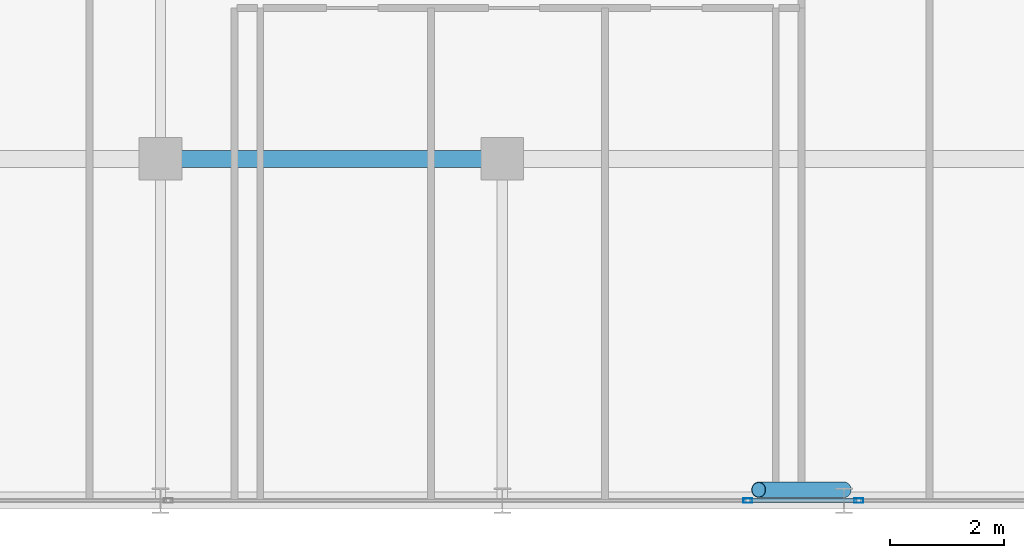
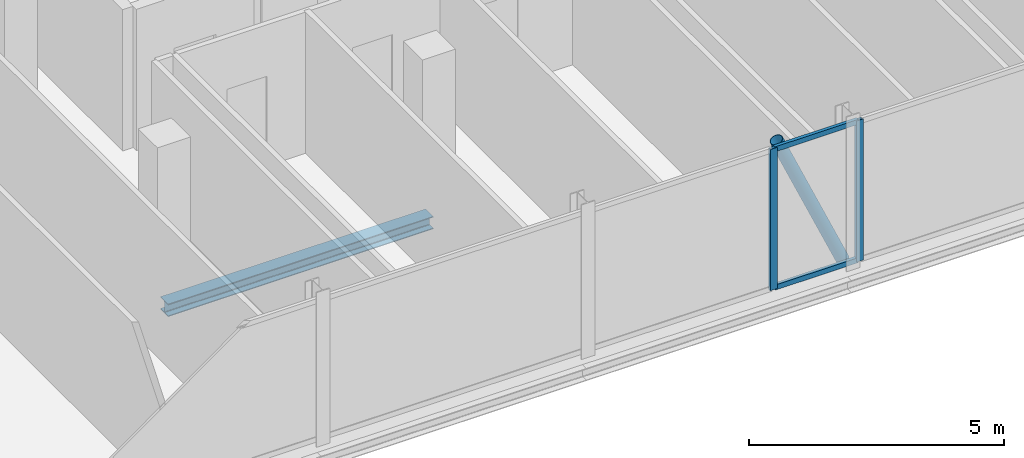
# One storey, part 10 of 29: 5 members, 1 beam, 2 elements without a shape of their own.
"""IFC4 building model written with IfcOpenShell, lengths in metres."""

from ifc_helpers import new_model, si_unit, direction, frame, origin, origin_2d, place, context, subcontext, project, spatial, hollow_rectangle, hollow_circle, i_section, extrude, material, layer, layer_set, material_profile, profile_set, type_object, element, aggregate, save


model = new_model("IFC4")

# Units and contexts
model_context = context("Model", 3, precision=1e-05, world=origin(), true_north=direction((0.0, 1.0)))
body_context = subcontext(model_context, "Body", "Model", "MODEL_VIEW")
ifc_project = project(units=[si_unit("LENGTHUNIT", "METRE"), si_unit("AREAUNIT", "SQUARE_METRE"), si_unit("VOLUMEUNIT", "CUBIC_METRE"), si_unit("PLANEANGLEUNIT", "RADIAN"), si_unit("MASSUNIT", "GRAM", prefix="KILO")], contexts=[model_context])

# Site, building, storey
site_placement = place(None, origin())
site = spatial("IfcSite", under=ifc_project, at=site_placement, CompositionType="ELEMENT")
building_placement = place(site_placement, origin())
building = spatial("IfcBuilding", under=site, at=building_placement, Name="Keshet Zoharim Tower", CompositionType="ELEMENT")
storey_placement = place(building_placement, frame((0.0, 0.0, 214.300048828125)))
storey = spatial("IfcBuildingStorey", under=building, at=storey_placement, Name="L53", CompositionType="ELEMENT", Elevation=214.300048828125)

# Beam
ifc_material_1 = material(Name="Steel S355", Category="steel")
ifc_material_profile_1 = material_profile(ifc_material_1, i_section(OverallWidth=0.300048828125, OverallDepth=0.300048828125, WebThickness=0.010986328125, FlangeThickness=0.01904296875, FilletRadius=0.027099609375, at=origin_2d()), Name="HEB300")
ifc_profile_set_1 = profile_set([ifc_material_profile_1], Name="Steel S355")
beam_type = type_object("IfcBeamType", Name="BM-PRI-HB300", PredefinedType="BEAM", material=ifc_profile_set_1)
beam_placement = place(storey_placement, frame((33.0, 6.699951171875, -0.4599609375), z_axis=(1.0, 0.0, 0.0), x_axis=(0.0, 1.0, 0.0)))
element("IfcBeam", 1, at=beam_placement, inside=storey, type_object=beam_type, Name="L53 Primary Girder X-007", PredefinedType="BEAM", context=body_context, shape_type="SweptSolid", body=[
    extrude(i_section(OverallWidth=0.300048828125, OverallDepth=0.300048828125, WebThickness=0.010986328125, FlangeThickness=0.01904296875, FilletRadius=0.027099609375, at=origin_2d()), origin(), (0.0, 0.0, 1.0), 6.0),
])

# Curtain wall, member
ifc_material_2 = material(Name="Aluminium 6063-T6", Category="aluminium")
ifc_layer = layer(ifc_material_2, 0.139892578125)
ifc_layer_set = layer_set([ifc_layer], Name="Aluminium 6063-T6")
curtain_wall_type = type_object("IfcCurtainWallType", Name="CW-SYS-05", PredefinedType="NOTDEFINED", material=ifc_layer_set)
curtain_wall_1_placement = place(storey_placement, origin())
curtain_wall_1 = element("IfcCurtainWall", 2, at=curtain_wall_1_placement, inside=storey, type_object=curtain_wall_type, Name="L53 Unitised Curtain Wall 06", PredefinedType="NOTDEFINED")
ifc_material_profile_2 = material_profile(ifc_material_2, hollow_rectangle(XDim=0.074951171875, YDim=0.159912109375, WallThickness=0.00390625, at=origin_2d()), Name="MUL-75x160")
ifc_profile_set_2 = profile_set([ifc_material_profile_2], Name="Aluminium 6063-T6")
member_type_1 = type_object("IfcMemberType", Name="CWM-M15", PredefinedType="MULLION", material=ifc_profile_set_2)
member_1_placement = place(storey_placement, frame((45.259765625, 0.699951171875, 0.0), z_axis=(0.0, 0.0, 1.0), x_axis=(0.0, -1.0, 0.0)))
member_1 = element("IfcMember", 3, at=member_1_placement, type_object=member_type_1, Name="CW-05 mullion 2", PredefinedType="MULLION", context=body_context, shape_type="SweptSolid", body=[
    extrude(hollow_rectangle(XDim=0.074951171875, YDim=0.159912109375, WallThickness=0.00390625, at=origin_2d()), origin(), (0.0, 0.0, 1.0), 3.3798828125),
])
aggregate(curtain_wall_1, [member_1])

# Curtain wall, members
curtain_wall_2_placement = place(storey_placement, origin())
curtain_wall_2 = element("IfcCurtainWall", 4, at=curtain_wall_2_placement, inside=storey, type_object=curtain_wall_type, Name="L53 Unitised Curtain Wall 06 Part 2", PredefinedType="NOTDEFINED")
member_2_placement = place(storey_placement, frame((43.310302734375, 0.699951171875, 0.0), z_axis=(0.0, 0.0, 1.0), x_axis=(0.0, -1.0, 0.0)))
member_2 = element("IfcMember", 5, at=member_2_placement, type_object=member_type_1, Name="CW-05 mullion 2", PredefinedType="MULLION", context=body_context, shape_type="SweptSolid", body=[
    extrude(hollow_rectangle(XDim=0.074951171875, YDim=0.159912109375, WallThickness=0.00390625, at=origin_2d()), origin(), (0.0, 0.0, 1.0), 3.3798828125),
])
ifc_material_profile_3 = material_profile(ifc_material_2, hollow_rectangle(XDim=0.074951171875, YDim=0.1201171875, WallThickness=0.00390625, at=origin_2d()), Name="TRN-75x120")
ifc_profile_set_3 = profile_set([ifc_material_profile_3], Name="Aluminium 6063-T6")
member_type_2 = type_object("IfcMemberType", Name="CWT-T12", PredefinedType="USERDEFINED", material=ifc_profile_set_3)
member_3_placement = place(storey_placement, frame((45.224853515625, 0.699951171875, 0.034912109375), z_axis=(-1.0, 0.0, 0.0), x_axis=(0.0, -1.0, 0.0)))
member_3 = element("IfcMember", 6, at=member_3_placement, type_object=member_type_2, Name="CW-05 transom 1.1", ObjectType="TRANSOM", PredefinedType="USERDEFINED", context=body_context, shape_type="SweptSolid", body=[
    extrude(hollow_rectangle(XDim=0.074951171875, YDim=0.1201171875, WallThickness=0.00390625, at=origin_2d()), origin(), (0.0, 0.0, 1.0), 1.879638671875),
])
member_4_placement = place(storey_placement, frame((45.224853515625, 0.699951171875, 3.344970703125), z_axis=(-1.0, 0.0, 0.0), x_axis=(0.0, -1.0, 0.0)))
member_4 = element("IfcMember", 7, at=member_4_placement, type_object=member_type_2, Name="CW-05 transom 1.2", ObjectType="TRANSOM", PredefinedType="USERDEFINED", context=body_context, shape_type="SweptSolid", body=[
    extrude(hollow_rectangle(XDim=0.074951171875, YDim=0.1201171875, WallThickness=0.00390625, at=origin_2d()), origin(), (0.0, 0.0, 1.0), 1.879638671875),
])
aggregate(curtain_wall_2, [member_2, member_3, member_4])

# Member
ifc_material_profile_4 = material_profile(ifc_material_1, hollow_circle(Radius=0.136474609375, WallThickness=0.010009765625, at=origin_2d()), Name="CHS273x10")
ifc_profile_set_4 = profile_set([ifc_material_profile_4], Name="Steel S355")
member_type_3 = type_object("IfcMemberType", Name="MB-BR-C273", PredefinedType="BRACE", material=ifc_profile_set_4)
member_5_placement = place(storey_placement, frame((45.0, 0.889892578125, 0.0), z_axis=(-0.405648336366, 0.0, 0.914029226668), x_axis=(0.0, -1.0, 0.0)))
element("IfcMember", 8, at=member_5_placement, inside=storey, type_object=member_type_3, Name="L53 Perimeter Tube Brace 03", PredefinedType="BRACE", context=body_context, shape_type="SweptSolid", body=[
    extrude(hollow_circle(Radius=0.136474609375, WallThickness=0.010009765625, at=origin_2d()), origin(), (0.0, 0.0, 1.0), 3.69775390625),
])

save(model, "model.ifc")
